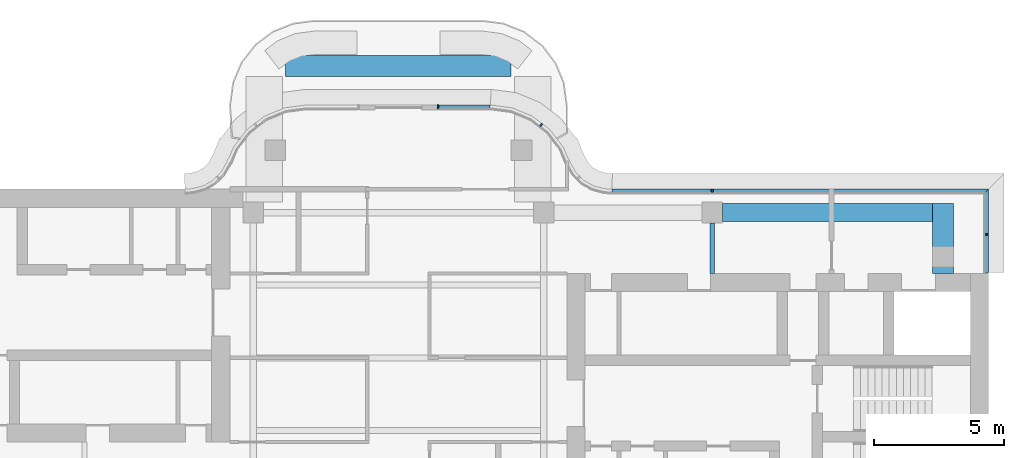
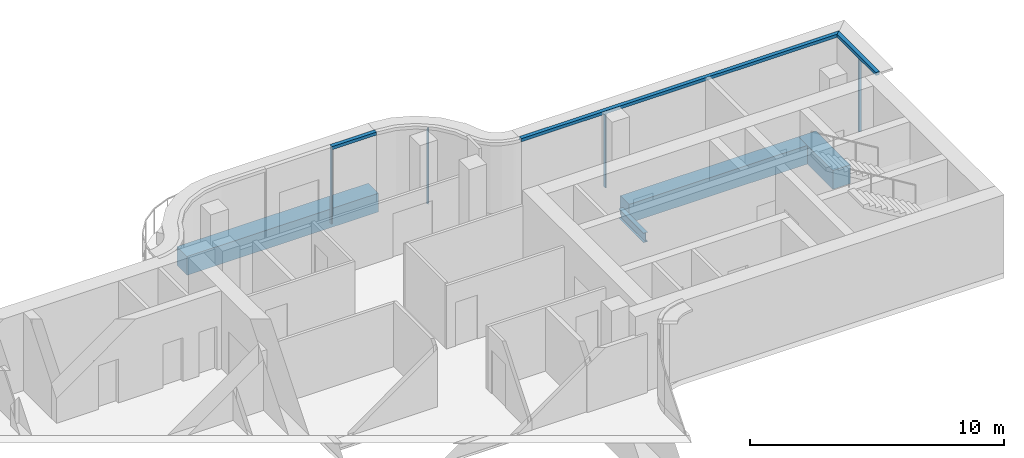
# One storey, part 4 of 9: 7 members, 4 beams, 4 elements without a shape of their own.
"""IFC4 building model written with IfcOpenShell, lengths in metres."""

from ifc_helpers import new_model, si_unit, direction, frame, origin, origin_2d, place, context, subcontext, project, spatial, polyline, rectangle, i_section, outline, extrude, source, transform, mapped, material, layer, layer_set, material_profile, profile_set, type_object, element, aggregate, save


model = new_model("IFC4")

# Units and contexts
model_context = context("Model", 3, precision=1e-05, world=origin(), true_north=direction((0.0, 1.0)))
body_context = subcontext(model_context, "Body", "Model", "MODEL_VIEW")
ifc_project = project(units=[si_unit("LENGTHUNIT", "METRE"), si_unit("AREAUNIT", "SQUARE_METRE"), si_unit("VOLUMEUNIT", "CUBIC_METRE"), si_unit("PLANEANGLEUNIT", "RADIAN"), si_unit("MASSUNIT", "GRAM", prefix="KILO")], contexts=[model_context])

# Site, building, storey
site_placement = place(None, origin())
site = spatial("IfcSite", under=ifc_project, at=site_placement, CompositionType="ELEMENT")
building_placement = place(site_placement, origin())
building = spatial("IfcBuilding", under=site, at=building_placement, Name="Trellis Farm Tower", CompositionType="ELEMENT")
storey_placement = place(building_placement, frame((0.0, 0.0, 354.10009765625)))
storey = spatial("IfcBuildingStorey", under=building, at=storey_placement, Name="L80", CompositionType="ELEMENT", Elevation=354.10009765625)

# Curtain wall, member
ifc_material_1 = material(Name="Aluminium and glass curtain wall", Category="aluminium")
ifc_layer_1 = layer(ifc_material_1, 0.176025390625)
ifc_layer_set_1 = layer_set([ifc_layer_1], Name="CROWN LANTERN CURTAIN WALL CW5")
curtain_wall_type = type_object("IfcCurtainWallType", Name="CROWN LANTERN CURTAIN WALL CW5", PredefinedType="NOTDEFINED", material=ifc_layer_set_1)
placement_1 = place(storey_placement, origin())
curtain_wall_1 = element("IfcCurtainWall", 1, at=placement_1, inside=storey, type_object=curtain_wall_type, Name="CW5 009", PredefinedType="NOTDEFINED")
ifc_material_2 = material(Name="Aluminium extrusion 6063-T6", Category="aluminium")
ifc_layer_2 = layer(ifc_material_2, 0.176025390625)
ifc_layer_set_2 = layer_set([ifc_layer_2], Name="Aluminium extrusion 6063-T6")
member_type_1 = type_object("IfcMemberType", Name="CW5 TRANSOM 176x150", PredefinedType="USERDEFINED", material=ifc_layer_set_2)
placement_2 = place(storey_placement, frame((0.0, 0.0, 3.599853515625)))
member_1 = element("IfcMember", 2, at=placement_2, type_object=member_type_1, Name="TR5 009", ObjectType="TRANSOM", PredefinedType="USERDEFINED", context=body_context, shape_type="SweptSolid", body=[
    extrude(outline(polyline([(3.542236328125, 9.75), (1.5, 9.75), (1.5, 9.573974609375), (3.53076171875, 9.573974609375), (3.542236328125, 9.75)])), origin(), (0.0, 0.0, 1.0), 0.150146484375),
])

# Beams
ifc_material_3 = material(Name="Concrete C60/75", Category="concrete")
ifc_material_profile_1 = material_profile(ifc_material_3, rectangle(XDim=0.699951171875, YDim=0.89990234375, at=origin_2d()), Name="RC spandrel beam 700x900 C60/75")
ifc_profile_set_1 = profile_set([ifc_material_profile_1], Name="Concrete C60/75")
beam_type_1 = type_object("IfcBeamType", Name="RC spandrel beam 700x900 C60/75", PredefinedType="SPANDREL", material=ifc_profile_set_1)
shared_shape_1 = source(origin(), body_context, "Body", "SweptSolid", [
    extrude(rectangle(XDim=0.699951171875, YDim=0.89990234375, at=origin_2d()), origin(), (0.0, 0.0, 1.0), 8.10009765625),
])
beam_1_placement = place(storey_placement, frame((12.5, 5.60009765625, -0.7001953125), z_axis=(1.0, 0.0, 0.0), x_axis=(0.0, 1.0, 0.0)))
element("IfcBeam", 3, at=beam_1_placement, inside=storey, type_object=beam_type_1, Name="Girder", PredefinedType="SPANDREL", context=body_context, shape_type="MappedRepresentation", body=[
    mapped(shared_shape_1, transform((0.0, 0.0, 0.0))),
])
ifc_material_profile_2 = material_profile(ifc_material_3, rectangle(XDim=0.800048828125, YDim=0.89990234375, at=origin_2d()), Name="RC spandrel beam 800x900 C60/75")
ifc_profile_set_2 = profile_set([ifc_material_profile_2], Name="Concrete C60/75")
beam_type_2 = type_object("IfcBeamType", Name="RC spandrel beam 800x900 C60/75", PredefinedType="SPANDREL", material=ifc_profile_set_2)
shared_shape_2 = source(origin(), body_context, "Body", "SweptSolid", [
    extrude(rectangle(XDim=0.800048828125, YDim=0.89990234375, at=origin_2d()), origin(), (0.0, 0.0, 1.0), 2.699951171875),
])
beam_2_placement = place(storey_placement, frame((21.0, 3.25, -0.7001953125), z_axis=(0.0, 1.0, 0.0), x_axis=(-1.0, 0.0, 0.0)))
element("IfcBeam", 4, at=beam_2_placement, inside=storey, type_object=beam_type_2, Name="Girder", PredefinedType="SPANDREL", context=body_context, shape_type="MappedRepresentation", body=[
    mapped(shared_shape_2, transform((0.0, 0.0, 0.0))),
])
shared_shape_3 = source(origin(), body_context, "Body", "SweptSolid", [
    extrude(rectangle(XDim=0.800048828125, YDim=0.89990234375, at=origin_2d()), origin(), (0.0, 0.0, 1.0), 8.7001953125),
])
beam_3_placement = place(storey_placement, frame((-4.35009765625, 11.25, -0.7001953125), z_axis=(1.0, 0.0, 0.0), x_axis=(0.0, 1.0, 0.0)))
element("IfcBeam", 5, at=beam_3_placement, inside=storey, type_object=beam_type_2, Name="Girder", PredefinedType="SPANDREL", context=body_context, shape_type="MappedRepresentation", body=[
    mapped(shared_shape_3, transform((0.0, 0.0, 0.0))),
])
ifc_material_4 = material(Name="Steel S355", Category="steel")
ifc_material_profile_3 = material_profile(ifc_material_4, i_section(OverallWidth=0.1904296875, OverallDepth=0.45703125, WebThickness=0.009033203125, FlangeThickness=0.014404296875, FilletRadius=0.01025390625, at=origin_2d()), Name="UB 457x191x74")
ifc_profile_set_3 = profile_set([ifc_material_profile_3], Name="Steel S355")
beam_type_3 = type_object("IfcBeamType", Name="UB 457x191x74", PredefinedType="BEAM", material=ifc_profile_set_3)
shared_shape_4 = source(origin(), body_context, "Body", "SweptSolid", [
    extrude(i_section(OverallWidth=0.1904296875, OverallDepth=0.45703125, WebThickness=0.009033203125, FlangeThickness=0.014404296875, FilletRadius=0.01025390625, at=origin_2d()), origin(), (0.0, 0.0, 1.0), 1.949951171875),
])
beam_4_placement = place(storey_placement, frame((12.10009765625, 3.25, -0.478515625), z_axis=(0.0, 1.0, 0.0), x_axis=(-1.0, 0.0, 0.0)))
element("IfcBeam", 6, at=beam_4_placement, inside=storey, type_object=beam_type_3, Name="Girder", PredefinedType="BEAM", context=body_context, shape_type="MappedRepresentation", body=[
    mapped(shared_shape_4, transform((0.0, 0.0, 0.0))),
])

# Curtain wall, member
curtain_wall_2 = element("IfcCurtainWall", 7, at=placement_1, inside=storey, type_object=curtain_wall_type, Name="CW5 006", PredefinedType="NOTDEFINED")
ifc_material_profile_4 = material_profile(ifc_material_2, rectangle(XDim=0.06005859375, YDim=0.1201171875, at=origin_2d()), Name="MULLION 60x120")
ifc_profile_set_4 = profile_set([ifc_material_profile_4], Name="Aluminium extrusion 6063-T6")
member_type_2 = type_object("IfcMemberType", Name="CW5 MULLION 60x120", PredefinedType="MULLION", material=ifc_profile_set_4)
shared_shape_5 = source(origin(), body_context, "Body", "SweptSolid", [
    extrude(rectangle(XDim=0.06005859375, YDim=0.1201171875, at=origin_2d()), origin(), (0.0, 0.0, 1.0), 3.599853515625),
])
member_2_placement = place(storey_placement, frame((22.68994140625, 4.75, 0.0), z_axis=(0.0, 0.0, 1.0), x_axis=(0.0, 1.0, 0.0)))
member_2 = element("IfcMember", 8, at=member_2_placement, type_object=member_type_2, Name="MU5 006-01", PredefinedType="MULLION", context=body_context, shape_type="MappedRepresentation", body=[
    mapped(shared_shape_5, transform((0.0, 0.0, 0.0))),
])

curtain_wall_3 = element("IfcCurtainWall", 9, at=placement_1, inside=storey, type_object=curtain_wall_type, Name="CW5 007", PredefinedType="NOTDEFINED")
member_3_placement = place(storey_placement, frame((12.10009765625, 6.43994140625, 0.0), z_axis=(0.0, 0.0, 1.0), x_axis=(-1.0, 0.0, 0.0)))
member_3 = element("IfcMember", 10, at=member_3_placement, type_object=member_type_2, Name="MU5 007-01", PredefinedType="MULLION", context=body_context, shape_type="MappedRepresentation", body=[
    mapped(shared_shape_5, transform((0.0, 0.0, 0.0))),
])

curtain_wall_4 = element("IfcCurtainWall", 11, at=placement_1, inside=storey, type_object=curtain_wall_type, Name="CW5 008", PredefinedType="NOTDEFINED")
member_4_placement = place(storey_placement, frame((5.5029296875, 8.981201171875, 0.0), z_axis=(0.0, 0.0, 1.0), x_axis=(-0.793353340291, 0.608761429009, 0.0)))
member_4 = element("IfcMember", 12, at=member_4_placement, type_object=member_type_2, Name="MU5 008-02", PredefinedType="MULLION", context=body_context, shape_type="MappedRepresentation", body=[
    mapped(shared_shape_5, transform((0.0, 0.0, 0.0))),
])
aggregate(curtain_wall_4, [member_4])

# Member
member_5_placement = place(storey_placement, frame((1.530029296875, 9.68994140625, 0.0), z_axis=(0.0, 0.0, 1.0), x_axis=(-1.0, 0.0, 0.0)))
member_5 = element("IfcMember", 13, at=member_5_placement, type_object=member_type_2, Name="MU5 009-01", PredefinedType="MULLION", context=body_context, shape_type="MappedRepresentation", body=[
    mapped(shared_shape_5, transform((0.0, 0.0, 0.0))),
])

aggregate(curtain_wall_1, [member_5, member_1])

shared_shape_6 = source(origin(), body_context, "Body", "SweptSolid", [
    extrude(outline(polyline([(22.75, 6.5), (8.2314453125, 6.5), (8.2255859375, 6.323974609375), (22.573974609375, 6.323974609375), (22.75, 6.5)])), origin(), (0.0, 0.0, 1.0), 0.150146484375),
])
member_6 = element("IfcMember", 14, at=placement_2, type_object=member_type_1, Name="TR5 007", ObjectType="TRANSOM", PredefinedType="USERDEFINED", context=body_context, shape_type="MappedRepresentation", body=[
    mapped(shared_shape_6, transform((0.0, 0.0, 0.0))),
])

aggregate(curtain_wall_3, [member_3, member_6])

shared_shape_7 = source(origin(), body_context, "Body", "SweptSolid", [
    extrude(outline(polyline([(22.75, 3.280029296875), (22.75, 6.5), (22.573974609375, 6.323974609375), (22.573974609375, 3.280029296875), (22.75, 3.280029296875)])), origin(), (0.0, 0.0, 1.0), 0.150146484375),
])
member_7 = element("IfcMember", 15, at=placement_2, type_object=member_type_1, Name="TR5 006", ObjectType="TRANSOM", PredefinedType="USERDEFINED", context=body_context, shape_type="MappedRepresentation", body=[
    mapped(shared_shape_7, transform((0.0, 0.0, 0.0))),
])

aggregate(curtain_wall_2, [member_2, member_7])

save(model, "model.ifc")
